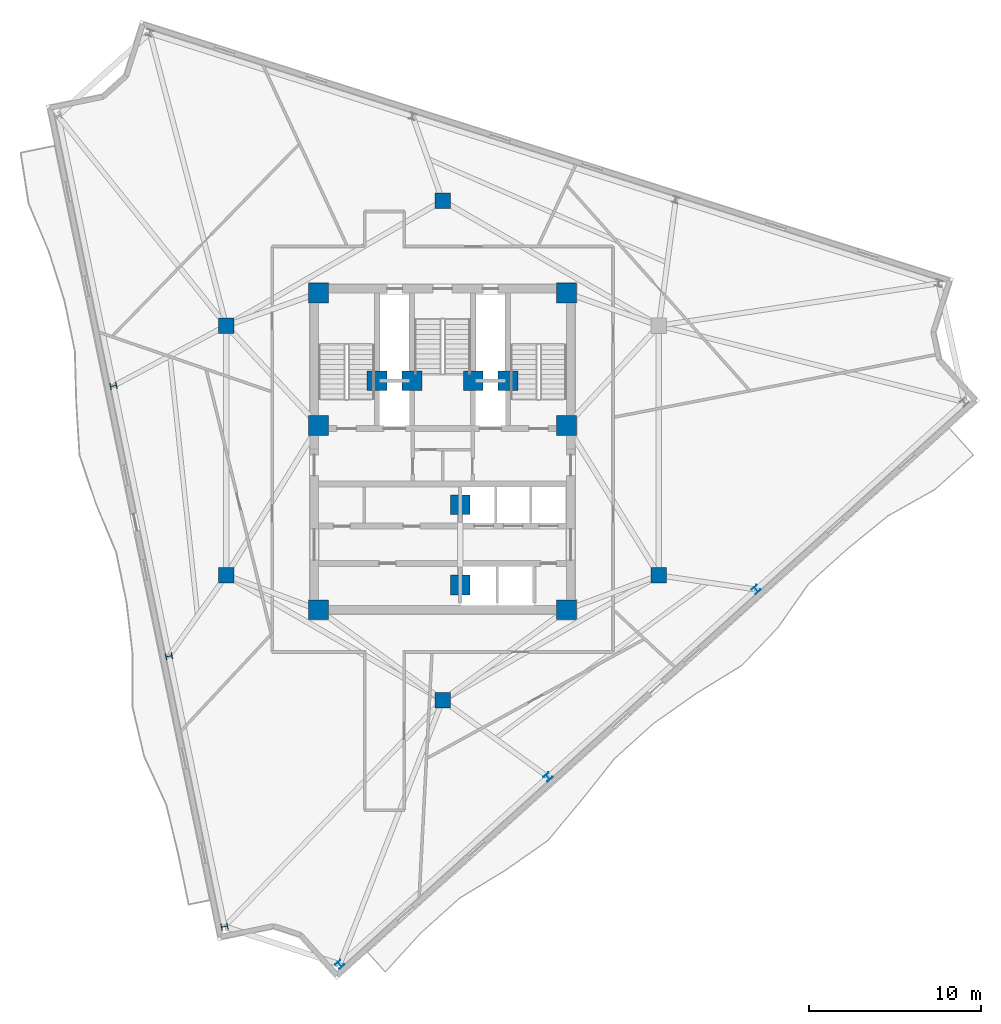
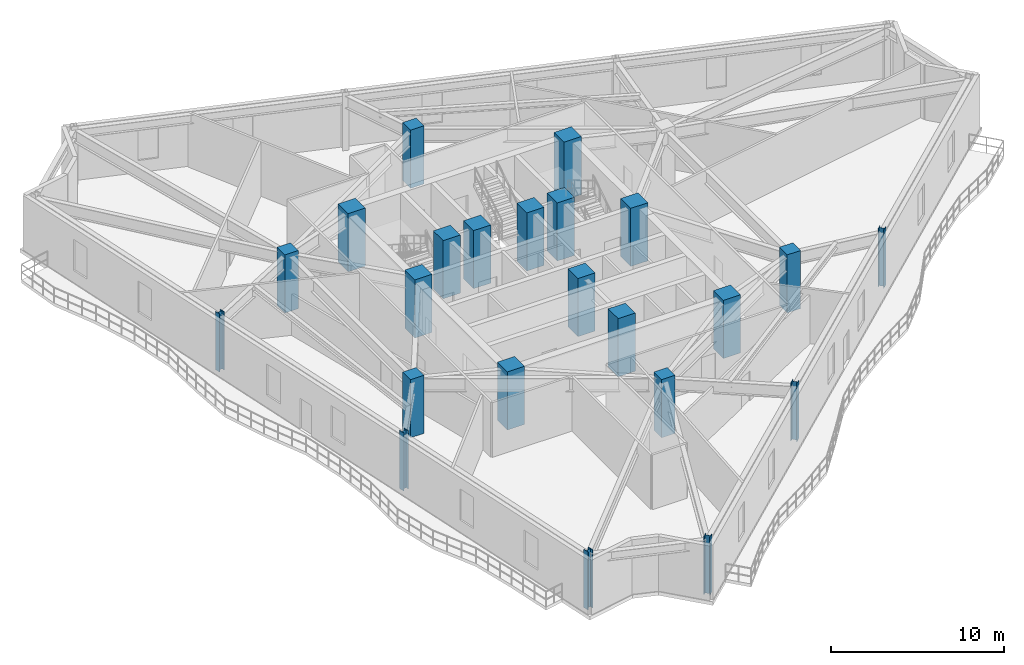
# One storey, part 1 of 11: 23 columns.
"""IFC4 building model written with IfcOpenShell, lengths in metres."""

from ifc_helpers import new_model, si_unit, direction, frame, origin, origin_2d, place, context, subcontext, project, spatial, rectangle, i_section, extrude, material, material_profile, profile_set, type_object, element, save


model = new_model("IFC4")

# Units and contexts
model_context = context("Model", 3, precision=1e-05, world=origin(), true_north=direction((0.0, 1.0)))
body_context = subcontext(model_context, "Body", "Model", "MODEL_VIEW")
ifc_project = project(units=[si_unit("LENGTHUNIT", "METRE"), si_unit("AREAUNIT", "SQUARE_METRE"), si_unit("VOLUMEUNIT", "CUBIC_METRE"), si_unit("PLANEANGLEUNIT", "RADIAN"), si_unit("MASSUNIT", "GRAM", prefix="KILO")], contexts=[model_context])

# Site, building, storey
site_placement = place(None, origin())
site = spatial("IfcSite", under=ifc_project, at=site_placement, CompositionType="ELEMENT")
building_placement = place(site_placement, origin())
building = spatial("IfcBuilding", under=site, at=building_placement, Name="Apsidion Concourse Tower", CompositionType="ELEMENT")
storey_placement = place(building_placement, frame((0.0, 0.0, 244.5)))
storey = spatial("IfcBuildingStorey", under=building, at=storey_placement, Name="L57", CompositionType="ELEMENT", Elevation=244.5)

# Columns
ifc_material_1 = material(Name="Concrete C50/60", Category="concrete")
ifc_material_profile_1 = material_profile(ifc_material_1, rectangle(XDim=1.14990234375, YDim=1.14990234375, at=origin_2d()), Name="RC 1150x1150")
ifc_profile_set_1 = profile_set([ifc_material_profile_1], Name="Concrete C50/60")
column_type_1 = type_object("IfcColumnType", Name="COL-RC-1150", PredefinedType="COLUMN", material=ifc_profile_set_1)
for number, where, z_axis, x_axis, name in (
    (1, (-7.199951171875, -9.25, 0.0), (0.0, 0.0, 1.0), (1.0, 0.0, 0.0), "L57 Core Super-Column SC1"),
    (2, (7.199951171875, -9.25, 0.0), (0.0, 0.0, 1.0), (1.0, 0.0, 0.0), "L57 Core Super-Column SC2"),
    (3, (7.199951171875, 1.449951171875, 0.0), (0.0, 0.0, 1.0), (1.0, 0.0, 0.0), "L57 Core Super-Column SC3"),
    (4, (7.199951171875, 9.14990234375, 0.0), (0.0, 0.0, 1.0), (1.0, 0.0, 0.0), "L57 Core Super-Column SC4"),
    (5, (-7.199951171875, 9.14990234375, 0.0), (0.0, 0.0, 1.0), (1.0, 0.0, 0.0), "L57 Core Super-Column SC5"),
    (6, (-7.199951171875, 1.449951171875, 0.0), (0.0, 0.0, 1.0), (1.0, 0.0, 0.0), "L57 Core Super-Column SC6"),
    (7, (-3.800048828125, 4.050048828125, 0.0), (0.0, 0.0, 1.0), (1.0, 0.0, 0.0), "L57 Core Super-Column CC1"),
    (8, (3.800048828125, 4.050048828125, 0.0), (0.0, 0.0, 1.0), (1.0, 0.0, 0.0), "L57 Core Super-Column CC2"),
    (9, (-1.77490234375, 4.050048828125, 0.0), (0.0, 0.0, 1.0), (1.0, 0.0, 0.0), "L57 Core Super-Column CC3"),
    (10, (1.77490234375, 4.050048828125, 0.0), (0.0, 0.0, 1.0), (1.0, 0.0, 0.0), "L57 Core Super-Column CC4"),
    (11, (1.02490234375, -3.14990234375, 0.0), (0.0, 0.0, 1.0), (1.0, 0.0, 0.0), "L57 Core Super-Column CC5"),
    (12, (1.02490234375, -7.800048828125, 0.0), (0.0, 0.0, 1.0), (1.0, 0.0, 0.0), "L57 Core Super-Column CC6"),
):
    element("IfcColumn", number, at=place(storey_placement, frame(where, z_axis=z_axis, x_axis=x_axis)), inside=storey, type_object=column_type_1, Name=name, PredefinedType="COLUMN", context=body_context, shape_type="SweptSolid", body=[
        extrude(rectangle(XDim=1.14990234375, YDim=1.14990234375, at=origin_2d()), origin(), (0.0, 0.0, 1.0), 4.10009765625),
    ])
ifc_material_profile_2 = material_profile(ifc_material_1, rectangle(XDim=0.89990234375, YDim=0.89990234375, at=origin_2d()), Name="RC 900x900")
ifc_profile_set_2 = profile_set([ifc_material_profile_2], Name="Concrete C50/60")
column_type_2 = type_object("IfcColumnType", Name="COL-RC-900", PredefinedType="COLUMN", material=ifc_profile_set_2)
for number, where, z_axis, x_axis, name in (
    (13, (-12.56005859375, -7.25, 0.0), (0.0, 0.0, 1.0), (1.0, 0.0, 0.0), "L57 Interior Spine Column IC1"),
    (14, (12.56005859375, -7.25, 0.0), (0.0, 0.0, 1.0), (1.0, 0.0, 0.0), "L57 Interior Spine Column IC2"),
    (15, (0.0, 14.5, 0.0), (0.0, 0.0, 1.0), (1.0, 0.0, 0.0), "L57 Interior Spine Column IC4"),
    (16, (-12.56005859375, 7.25, 0.0), (0.0, 0.0, 1.0), (1.0, 0.0, 0.0), "L57 Interior Spine Column IC5"),
    (17, (0.0, -14.5, 0.0), (0.0, 0.0, 1.0), (1.0, 0.0, 0.0), "L57 Interior Spine Column IC6"),
):
    element("IfcColumn", number, at=place(storey_placement, frame(where, z_axis=z_axis, x_axis=x_axis)), inside=storey, type_object=column_type_2, Name=name, PredefinedType="COLUMN", context=body_context, shape_type="SweptSolid", body=[
        extrude(rectangle(XDim=0.89990234375, YDim=0.89990234375, at=origin_2d()), origin(), (0.0, 0.0, 1.0), 4.10009765625),
    ])
ifc_material_2 = material(Name="Structural steel ASTM A992 Grade 50", Category="steel")
ifc_material_profile_3 = material_profile(ifc_material_2, i_section(OverallWidth=0.373046875, OverallDepth=0.373046875, WebThickness=0.016357421875, FlangeThickness=0.026123046875, at=origin_2d()), Name="W14X132")
ifc_profile_set_3 = profile_set([ifc_material_profile_3], Name="Structural steel ASTM A992 Grade 50")
column_type_3 = type_object("IfcColumnType", Name="COL-W14-132", PredefinedType="COLUMN", material=ifc_profile_set_3)
for number, where, z_axis, x_axis, name in (
    (18, (-19.11279296875, 3.75146484375, 0.0), (0.0, 0.0, 1.0), (-0.201248886216, 0.979540139962, 0.0), "L57 Rotated Perimeter Column PC02"),
    (19, (-15.888671875, -11.94384765625, 0.0), (0.0, 0.0, 1.0), (-0.201248886216, 0.979540139962, 0.0), "L57 Rotated Perimeter Column PC03"),
    (20, (-12.664306640625, -27.63916015625, 0.0), (0.0, 0.0, 1.0), (-0.201248886216, 0.979540139962, 0.0), "L57 Rotated Perimeter Column PC04"),
    (21, (-5.967529296875, -29.840087890625, 0.0), (0.0, 0.0, 1.0), (0.743144825477, 0.669130606359, 0.0), "L57 Rotated Perimeter Column PC05"),
    (22, (6.121826171875, -18.954833984375, 0.0), (0.0, 0.0, 1.0), (0.743144825477, 0.669130606359, 0.0), "L57 Rotated Perimeter Column PC06"),
    (23, (18.211181640625, -8.069580078125, 0.0), (0.0, 0.0, 1.0), (0.743144825477, 0.669130606359, 0.0), "L57 Rotated Perimeter Column PC07"),
):
    element("IfcColumn", number, at=place(storey_placement, frame(where, z_axis=z_axis, x_axis=x_axis)), inside=storey, type_object=column_type_3, Name=name, PredefinedType="COLUMN", context=body_context, shape_type="SweptSolid", body=[
        extrude(i_section(OverallWidth=0.373046875, OverallDepth=0.373046875, WebThickness=0.016357421875, FlangeThickness=0.026123046875, at=origin_2d()), origin(), (0.0, 0.0, 1.0), 4.10009765625),
    ])

save(model, "model.ifc")
